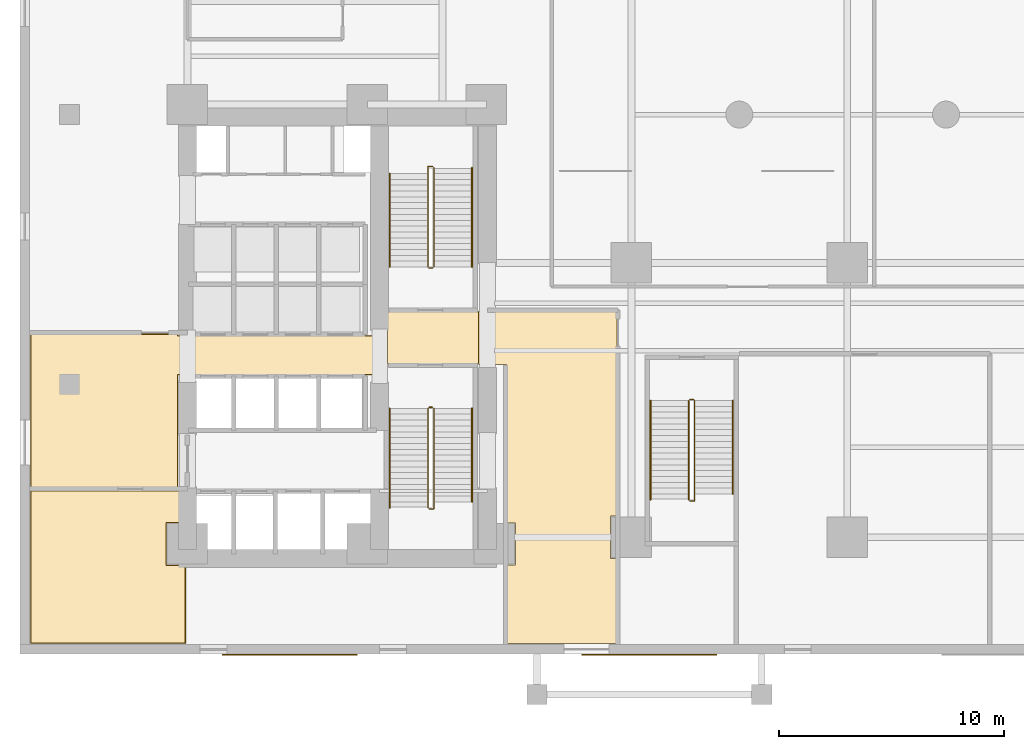
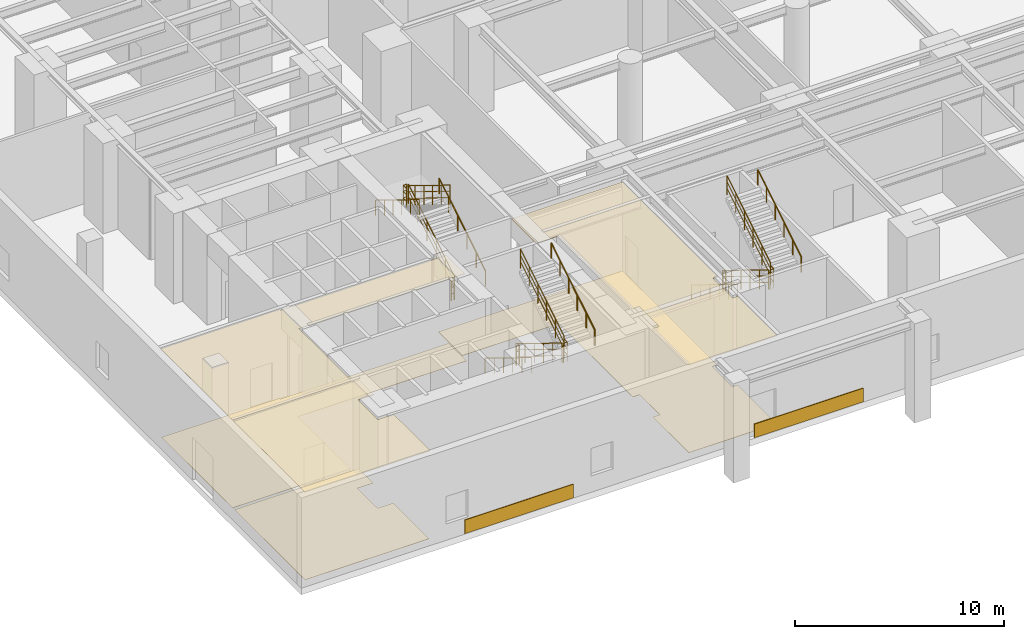
# One storey, part 15 of 17: 18 railings, 8 coverings.
"""IFC4 building model written with IfcOpenShell, lengths in metres."""

import ifcopenshell
import ifcopenshell.guid

model = None  # the IFC model being written
_history = None  # IfcOwnerHistory: only IFC2X3 demands one
_inside = {}  # id of a spatial element -> (the spatial element, [elements in it])
_under = {}  # id of a project, library or spatial element -> (it, [spatial elements below it])
_declared = {}  # id of a project -> (the project, [libraries it declares])
_typed = {}  # id of a type object -> (the type object, [elements of that type])
_made_of = {}  # id of a material, layer set ... -> (it, [elements and type objects made of it])


def new_model(schema):
    """Start an empty IFC model of exactly this schema.

    Asked for "IFC4X3", IfcOpenShell would pick the latest addendum, in which some entities
    have other attributes; the version numbers below select the first issue.
    IFC2X3 requires an IfcOwnerHistory on every rooted entity: one is made here for all.
    """
    global model, _history
    if schema == "IFC4X3":
        model = ifcopenshell.file(schema_version=(4, 3, 0, 0))
    else:
        model = ifcopenshell.file(schema=schema)
    _inside.clear()
    _under.clear()
    _declared.clear()
    _typed.clear()
    _made_of.clear()
    _history = None
    if model.schema == "IFC2X3":
        org = make("IfcOrganization", Name="unknown")
        user = make(
            "IfcPersonAndOrganization",
            ThePerson=make("IfcPerson", FamilyName="unknown"),
            TheOrganization=org,
        )
        app = make(
            "IfcApplication",
            ApplicationDeveloper=org,
            Version="unknown",
            ApplicationFullName="unknown",
            ApplicationIdentifier="unknown",
        )
        _history = make(
            "IfcOwnerHistory",
            OwningUser=user,
            OwningApplication=app,
            ChangeAction="ADDED",
            CreationDate=0,
        )
    return model


def make(cls, **values):
    """One entity of the class cls with the attributes given. An attribute that is None is left unset."""
    return model.create_entity(
        cls, **{name: value for name, value in values.items() if value is not None}
    )


def rooted(cls, **values):
    """An entity with a GlobalId (a new one), such as an element, a storey or a relation."""
    return make(cls, GlobalId=ifcopenshell.guid.new(), OwnerHistory=_history, **values)


def si_unit(unit_type, name, prefix=None):
    """IfcSIUnit, for example si_unit("LENGTHUNIT", "METRE", prefix="MILLI")."""
    return make("IfcSIUnit", UnitType=unit_type, Prefix=prefix, Name=name)


def assignment(units):
    """IfcUnitAssignment: the units of a project."""
    return None if units is None else make("IfcUnitAssignment", Units=units)


def point(xyz):
    """IfcCartesianPoint."""
    return None if xyz is None else make("IfcCartesianPoint", Coordinates=xyz)


def direction(xyz):
    """IfcDirection."""
    return None if xyz is None else make("IfcDirection", DirectionRatios=xyz)


def frame(location, z_axis=None, x_axis=None):
    """IfcAxis2Placement3D, a coordinate frame: its origin and axes. An axis left out is left unset."""
    return make(
        "IfcAxis2Placement3D",
        Location=point(location),
        Axis=direction(z_axis),
        RefDirection=direction(x_axis),
    )


def frame_2d(location, x_axis=None):
    """IfcAxis2Placement2D, a coordinate frame in the plane: its origin and x axis."""
    return make(
        "IfcAxis2Placement2D", Location=point(location), RefDirection=direction(x_axis)
    )


def origin():
    """The frame at (0, 0, 0) with its axes left unset."""
    return frame((0.0, 0.0, 0.0))


def origin_2d():
    """The frame at (0, 0) in the plane with its x axis left unset."""
    return frame_2d((0.0, 0.0))


def place(relative_to, where):
    """IfcLocalPlacement: puts the frame where relative to a parent placement (None: the world)."""
    return make(
        "IfcLocalPlacement", PlacementRelTo=relative_to, RelativePlacement=where
    )


def context(
    kind, dimensions, precision=None, world=None, true_north=None, identifier=None
):
    """IfcGeometricRepresentationContext, for example the 3D "Model" context."""
    return make(
        "IfcGeometricRepresentationContext",
        ContextIdentifier=identifier,
        ContextType=kind,
        CoordinateSpaceDimension=dimensions,
        Precision=precision,
        WorldCoordinateSystem=world,
        TrueNorth=true_north,
    )


def subcontext(parent, identifier, kind, view, scale=None):
    """IfcGeometricRepresentationSubContext, for example "Body" below "Model"."""
    return make(
        "IfcGeometricRepresentationSubContext",
        ContextIdentifier=identifier,
        ContextType=kind,
        ParentContext=parent,
        TargetScale=scale,
        TargetView=view,
    )


def project(units=None, contexts=None):
    """IfcProject with its units and contexts."""
    return rooted(
        "IfcProject",
        Name="project",
        RepresentationContexts=contexts,
        UnitsInContext=assignment(units),
    )


def spatial(cls, under=None, at=None, **own):
    """A site, building, storey or space (cls), placed at a placement, below another one or the project."""
    s = rooted(cls, ObjectPlacement=at, **own)
    if under is not None:
        _under.setdefault(under.id(), (under, []))[1].append(s)
    return s


def polyline(points):
    """IfcPolyline through the points."""
    return make("IfcPolyline", Points=[point(p) for p in points])


def profile(cls, at=None, kind="AREA", **sizes):
    """A parametric profile (cls). Its sizes go by their IFC names, for example OverallWidth=200.0."""
    return make(cls, ProfileType=kind, Position=at, **sizes)


def rectangle(**sizes):
    """IfcRectangleProfileDef."""
    return profile("IfcRectangleProfileDef", **sizes)


def circle(**sizes):
    """IfcCircleProfileDef."""
    return profile("IfcCircleProfileDef", **sizes)


def outline(outer, holes=None, kind="AREA"):
    """IfcArbitraryClosedProfileDef: a profile drawn as a closed curve; with holes, ...WithVoids."""
    if holes is None:
        return make("IfcArbitraryClosedProfileDef", ProfileType=kind, OuterCurve=outer)
    return make(
        "IfcArbitraryProfileDefWithVoids",
        ProfileType=kind,
        OuterCurve=outer,
        InnerCurves=holes,
    )


def extrude(swept, where, along, depth):
    """IfcExtrudedAreaSolid: the profile swept, set in the frame where, extruded along a direction by depth."""
    return make(
        "IfcExtrudedAreaSolid",
        SweptArea=swept,
        Position=where,
        ExtrudedDirection=direction(along),
        Depth=depth,
    )


def shape(context_of_items, identifier, shape_type, items):
    """IfcShapeRepresentation: the items that make up one representation, for example the "Body"."""
    return make(
        "IfcShapeRepresentation",
        ContextOfItems=context_of_items,
        RepresentationIdentifier=identifier,
        RepresentationType=shape_type,
        Items=items,
    )


def material(Name=None, Category=None):
    """IfcMaterial."""
    return make("IfcMaterial", Name=Name, Category=Category)


def layer(
    of_material, thickness, ventilated=None, Name=None, Category=None, Priority=None
):
    """IfcMaterialLayer: one layer of a wall or slab, of a material (None: an air gap)."""
    return make(
        "IfcMaterialLayer",
        Material=of_material,
        LayerThickness=thickness,
        IsVentilated=ventilated,
        Name=Name,
        Category=Category,
        Priority=Priority,
    )


def layer_set(layers, Name=None):
    """IfcMaterialLayerSet."""
    return make("IfcMaterialLayerSet", MaterialLayers=layers, LayerSetName=Name)


def made_of(thing, what):
    """Note that an element or type object is made of a material, layer set ...; save() writes the relation."""
    if what is not None:
        _made_of.setdefault(what.id(), (what, []))[1].append(thing)
    return thing


def type_object(cls, material=None, **own):
    """A type object (cls), such as IfcWallType, which elements share."""
    return made_of(rooted(cls, **own), material)


def element(
    cls,
    number,
    at=None,
    inside=None,
    cuts=None,
    type_object=None,
    material=None,
    context=None,
    identifier="Body",
    shape_type=None,
    held_by="IfcProductDefinitionShape",
    body=None,
    shapes=None,
    **own,
):
    """One element of the class cls, such as IfcWall. Its Tag is "e" and its number.

    at: its placement. inside: the storey or other place that contains it. cuts: it is an
    opening in that element (IfcRelVoidsElement). A single representation is given by context,
    identifier, shape_type and body (its items); several are given by shapes. held_by: the class
    of the entity that holds the representations. save() writes the other relations.
    """
    e = rooted(cls, Tag="e%d" % number, ObjectPlacement=at, **own)
    if body is not None:
        shapes = [shape(context, identifier, shape_type, body)]
    if shapes is not None:
        e.Representation = make(held_by, Representations=shapes)
    if inside is not None:
        _inside.setdefault(inside.id(), (inside, []))[1].append(e)
    if cuts is not None:
        rooted(
            "IfcRelVoidsElement", RelatingBuildingElement=cuts, RelatedOpeningElement=e
        )
    if type_object is not None:
        _typed.setdefault(type_object.id(), (type_object, []))[1].append(e)
    return made_of(e, material)


def aggregate(whole, parts):
    """IfcRelAggregates: a whole, such as a stair, and the parts it consists of."""
    return rooted("IfcRelAggregates", RelatingObject=whole, RelatedObjects=parts)


def save(model, path):
    """Write the relations noted so far, then the file.

    IfcRelAggregates (storeys below a building ...), IfcRelContainedInSpatialStructure (elements
    in a storey), IfcRelDefinesByType, IfcRelAssociatesMaterial and IfcRelDeclares: one each for
    every whole, place, type object, material and project.
    """
    for whole, parts in _under.values():
        aggregate(whole, parts)
    for where, things in _inside.values():
        rooted(
            "IfcRelContainedInSpatialStructure",
            RelatedElements=things,
            RelatingStructure=where,
        )
    for kind, things in _typed.values():
        rooted("IfcRelDefinesByType", RelatedObjects=things, RelatingType=kind)
    for what, things in _made_of.values():
        rooted("IfcRelAssociatesMaterial", RelatedObjects=things, RelatingMaterial=what)
    for by, libraries in _declared.values():
        rooted("IfcRelDeclares", RelatingContext=by, RelatedDefinitions=libraries)
    model.write(path)


model = new_model("IFC4")

# Units and contexts
model_context = context("Model", 3, precision=1e-05, world=origin(), true_north=direction((0.0, 1.0)))
body_context = subcontext(model_context, "Body", "Model", "MODEL_VIEW")
ifc_project = project(units=[si_unit("LENGTHUNIT", "METRE"), si_unit("AREAUNIT", "SQUARE_METRE"), si_unit("VOLUMEUNIT", "CUBIC_METRE"), si_unit("PLANEANGLEUNIT", "RADIAN"), si_unit("MASSUNIT", "GRAM", prefix="KILO")], contexts=[model_context])

# Site, building, storey
site_placement = place(None, origin())
site = spatial("IfcSite", under=ifc_project, at=site_placement, CompositionType="ELEMENT")
building_placement = place(site_placement, origin())
building = spatial("IfcBuilding", under=site, at=building_placement, Name="Kolvaren Waterfront Exchange", CompositionType="ELEMENT")
storey_placement = place(building_placement, origin())
storey = spatial("IfcBuildingStorey", under=building, at=storey_placement, Name="L01", CompositionType="ELEMENT", Elevation=0.0)

# Coverings
ifc_material_1 = material(Name="Mineral fibre acoustic ceiling tile")
ifc_layer_1 = layer(ifc_material_1, 0.02490234375, Name="Mineral fibre acoustic ceiling tile")
ifc_layer_set_1 = layer_set([ifc_layer_1], Name="Mineral fibre acoustic ceiling tile")
covering_type_1 = type_object("IfcCoveringType", Name="ARC-CEIL-ACOUSTIC-25", PredefinedType="CEILING", material=ifc_layer_set_1)
covering_1_placement = place(storey_placement, frame((0.0, 0.0, 5.14501953125)))
element("IfcCovering", 1, at=covering_1_placement, inside=storey, type_object=covering_type_1, Name="L01 acoustic suspended ceiling 1", PredefinedType="CEILING", context=body_context, shape_type="SweptSolid", body=[
    extrude(outline(polyline([(26.554931640625, 4.260009765625), (26.260009765625, 4.260009765625), (26.260009765625, 6.139892578125), (26.554931640625, 6.139892578125), (26.554931640625, 15.2548828125), (20.39990234375, 15.2548828125), (20.39990234375, 12.885009765625), (21.64501953125, 12.885009765625), (21.64501953125, 5.840087890625), (22.0400390625, 5.840087890625), (22.0400390625, 3.9599609375), (21.64501953125, 3.9599609375), (21.64501953125, 0.465087890625), (26.554931640625, 0.465087890625), (26.554931640625, 4.260009765625)])), origin(), (0.0, 0.0, 1.0), 0.02490234375),
])
covering_2_placement = place(storey_placement, frame((0.0, 0.0, 5.14501953125)))
element("IfcCovering", 2, at=covering_2_placement, inside=storey, type_object=covering_type_1, Name="L01 acoustic suspended ceiling 2", PredefinedType="CEILING", context=body_context, shape_type="SweptSolid", body=[
    extrude(outline(polyline([(7.034912109375, 14.175048828125), (7.034912109375, 14.2548828125), (0.465087890625, 14.2548828125), (0.465087890625, 7.385009765625), (7.034912109375, 7.385009765625), (7.034912109375, 12.405029296875), (16.199951171875, 12.405029296875), (16.199951171875, 14.175048828125), (7.034912109375, 14.175048828125)])), origin(), (0.0, 0.0, 1.0), 0.02490234375),
])
covering_3_placement = place(storey_placement, frame((0.0, 0.0, 5.14501953125)))
element("IfcCovering", 3, at=covering_3_placement, inside=storey, type_object=covering_type_1, Name="L01 acoustic suspended ceiling 3", PredefinedType="CEILING", context=body_context, shape_type="SweptSolid", body=[
    extrude(outline(polyline([(7.385009765625, 3.9599609375), (6.510009765625, 3.9599609375), (6.510009765625, 5.840087890625), (7.385009765625, 5.840087890625), (7.385009765625, 7.284912109375), (0.465087890625, 7.284912109375), (0.465087890625, 0.465087890625), (7.385009765625, 0.465087890625), (7.385009765625, 3.9599609375)])), origin(), (0.0, 0.0, 1.0), 0.02490234375),
])
ifc_material_2 = material(Name="Honed grey-taupe granite stone", Category="masonry")
ifc_layer_2 = layer(ifc_material_2, 0.044921875, Name="Honed grey-taupe granite stone")
ifc_layer_set_2 = layer_set([ifc_layer_2], Name="Honed grey-taupe granite stone")
covering_type_2 = type_object("IfcCoveringType", Name="ARC-CLAD-GRANITE-45", PredefinedType="CLADDING", material=ifc_layer_set_2)
for number, where, z_axis, x_axis, name in (
    (4, (12.0, -0.02001953125, 0.0498046875), (0.0, 0.0, 1.0), (1.0, 0.0, 0.0), "L01 honed grey-taupe granite spandrel cladding S1"),
    (5, (28.0, -0.02001953125, 0.0498046875), (0.0, 0.0, 1.0), (1.0, 0.0, 0.0), "L01 honed grey-taupe granite spandrel cladding S2"),
):
    element("IfcCovering", number, at=place(storey_placement, frame(where, z_axis=z_axis, x_axis=x_axis)), inside=storey, type_object=covering_type_2, Name=name, PredefinedType="CLADDING", context=body_context, shape_type="SweptSolid", body=[
        extrude(rectangle(XDim=6.0, YDim=0.044921875, at=origin_2d()), origin(), (0.0, 0.0, 1.0), 0.800048828125),
    ])
ifc_material_3 = material(Name="Slip-resistant porcelain tile")
ifc_layer_3 = layer(ifc_material_3, 0.014892578125, Name="Slip-resistant porcelain tile")
ifc_layer_set_3 = layer_set([ifc_layer_3], Name="Slip-resistant porcelain tile")
covering_type_3 = type_object("IfcCoveringType", Name="ARC-FLR-PORC-15", PredefinedType="FLOORING", material=ifc_layer_set_3)
covering_4_placement = place(storey_placement, origin())
element("IfcCovering", 6, at=covering_4_placement, inside=storey, type_object=covering_type_3, Name="L01 floor finish 1", PredefinedType="FLOORING", context=body_context, shape_type="SweptSolid", body=[
    extrude(outline(polyline([(26.52001953125, 15.219970703125), (16.35009765625, 15.219970703125), (16.35009765625, 12.919921875), (21.679931640625, 12.919921875), (21.679931640625, 5.860107421875), (22.06005859375, 5.860107421875), (22.06005859375, 3.93994140625), (21.679931640625, 3.93994140625), (21.679931640625, 0.5), (26.52001953125, 0.5), (26.52001953125, 4.239990234375), (26.239990234375, 4.239990234375), (26.239990234375, 6.159912109375), (26.52001953125, 6.159912109375), (26.52001953125, 12.919921875), (26.52001953125, 15.219970703125)])), origin(), (0.0, 0.0, 1.0), 0.014892578125),
])
covering_5_placement = place(storey_placement, origin())
element("IfcCovering", 7, at=covering_5_placement, inside=storey, type_object=covering_type_3, Name="L01 floor finish 2", PredefinedType="FLOORING", context=body_context, shape_type="SweptSolid", body=[
    extrude(outline(polyline([(0.5, 14.219970703125), (0.5, 7.419921875), (7.0, 7.419921875), (7.0, 12.43994140625), (16.300048828125, 12.43994140625), (16.300048828125, 14.139892578125), (7.0, 14.139892578125), (7.0, 14.219970703125), (0.5, 14.219970703125)])), origin(), (0.0, 0.0, 1.0), 0.014892578125),
])
covering_6_placement = place(storey_placement, origin())
element("IfcCovering", 8, at=covering_6_placement, inside=storey, type_object=covering_type_3, Name="L01 floor finish 3", PredefinedType="FLOORING", context=body_context, shape_type="SweptSolid", body=[
    extrude(outline(polyline([(0.5, 7.25), (0.5, 0.5), (7.35009765625, 0.5), (7.35009765625, 3.93994140625), (6.489990234375, 3.93994140625), (6.489990234375, 5.860107421875), (7.35009765625, 5.860107421875), (7.35009765625, 7.25), (0.5, 7.25)])), origin(), (0.0, 0.0, 1.0), 0.014892578125),
])

# Railings
ifc_material_4 = material(Name="Stainless steel 316", Category="steel")
railing_type_1 = type_object("IfcRailingType", Name="ARC-GUARD-STAIR", PredefinedType="GUARDRAIL", material=ifc_material_4)
railing_1_placement = place(storey_placement, frame((18.14990234375, 10.929931640625, 0.159912109375)))
element("IfcRailing", 9, at=railing_1_placement, inside=storey, type_object=railing_type_1, Name="L01 ST1 stair guard 1", PredefinedType="GUARDRAIL", context=body_context, shape_type="SweptSolid", body=[
    extrude(circle(Radius=0.02392578125, at=origin_2d()), frame((0.0, 0.0, 1.1259765625), z_axis=(0.0, -0.851656701509, 0.524100050348), x_axis=(1.0, 0.0, 0.0)), (0.0, 0.0, 1.0), 5.189697265625),
    extrude(circle(Radius=0.01611328125, at=origin_2d()), frame((0.0, 0.0, 0.390869140625), z_axis=(0.0, -0.851656701509, 0.524100050348), x_axis=(1.0, 0.0, 0.0)), (0.0, 0.0, 1.0), 5.189697265625),
    extrude(circle(Radius=0.01611328125, at=origin_2d()), frame((0.0, 0.0, 0.7705078125), z_axis=(0.0, -0.851656701509, 0.524100050348), x_axis=(1.0, 0.0, 0.0)), (0.0, 0.0, 1.0), 5.189697265625),
    extrude(circle(Radius=0.02099609375, at=origin_2d()), origin(), (0.0, 0.0, 1.0), 1.101806640625),
    extrude(circle(Radius=0.02099609375, at=origin_2d()), frame((0.0, -0.884033203125, 0.5439453125)), (0.0, 0.0, 1.0), 1.101806640625),
    extrude(circle(Radius=0.02099609375, at=origin_2d()), frame((0.0, -1.76806640625, 1.087890625)), (0.0, 0.0, 1.0), 1.101806640625),
    extrude(circle(Radius=0.02099609375, at=origin_2d()), frame((0.0, -2.65185546875, 1.632080078125)), (0.0, 0.0, 1.0), 1.101806640625),
    extrude(circle(Radius=0.02099609375, at=origin_2d()), frame((0.0, -3.535888671875, 2.176025390625)), (0.0, 0.0, 1.0), 1.101806640625),
    extrude(circle(Radius=0.02099609375, at=origin_2d()), frame((0.0, -4.419921875, 2.719970703125)), (0.0, 0.0, 1.0), 1.101806640625),
])
railing_2_placement = place(storey_placement, frame((18.199951171875, 6.4599609375, 2.8798828125)))
element("IfcRailing", 10, at=railing_2_placement, inside=storey, type_object=railing_type_1, Name="L01 ST1 stair guard 2", PredefinedType="GUARDRAIL", context=body_context, shape_type="SweptSolid", body=[
    extrude(circle(Radius=0.02392578125, at=origin_2d()), frame((0.0, 0.0, 1.1259765625), z_axis=(1.0, 0.0, 0.0), x_axis=(0.0, 1.0, 0.0)), (0.0, 0.0, 1.0), 0.2099609375),
    extrude(circle(Radius=0.01611328125, at=origin_2d()), frame((0.0, 0.0, 0.390869140625), z_axis=(1.0, 0.0, 0.0), x_axis=(0.0, 1.0, 0.0)), (0.0, 0.0, 1.0), 0.2099609375),
    extrude(circle(Radius=0.01611328125, at=origin_2d()), frame((0.0, 0.0, 0.7705078125), z_axis=(1.0, 0.0, 0.0), x_axis=(0.0, 1.0, 0.0)), (0.0, 0.0, 1.0), 0.2099609375),
    extrude(circle(Radius=0.02392578125, at=origin_2d()), frame((0.2099609375, 0.0, 1.1259765625), z_axis=(0.0, 1.0, 0.0), x_axis=(-1.0, 0.0, 0.0)), (0.0, 0.0, 1.0), 0.31005859375),
    extrude(circle(Radius=0.01611328125, at=origin_2d()), frame((0.2099609375, 0.0, 0.390869140625), z_axis=(0.0, 1.0, 0.0), x_axis=(-1.0, 0.0, 0.0)), (0.0, 0.0, 1.0), 0.31005859375),
    extrude(circle(Radius=0.01611328125, at=origin_2d()), frame((0.2099609375, 0.0, 0.7705078125), z_axis=(0.0, 1.0, 0.0), x_axis=(-1.0, 0.0, 0.0)), (0.0, 0.0, 1.0), 0.31005859375),
    extrude(circle(Radius=0.02099609375, at=origin_2d()), origin(), (0.0, 0.0, 1.0), 1.101806640625),
    extrude(circle(Radius=0.02099609375, at=origin_2d()), frame((0.2099609375, 0.0, 0.0)), (0.0, 0.0, 1.0), 1.101806640625),
    extrude(circle(Radius=0.02099609375, at=origin_2d()), frame((0.2099609375, 0.31005859375, 0.0)), (0.0, 0.0, 1.0), 1.101806640625),
])
railing_3_placement = place(storey_placement, frame((18.409912109375, 6.77001953125, 3.0400390625)))
element("IfcRailing", 11, at=railing_3_placement, inside=storey, type_object=railing_type_1, Name="L01 ST1 stair guard 3", PredefinedType="GUARDRAIL", context=body_context, shape_type="SweptSolid", body=[
    extrude(circle(Radius=0.02392578125, at=origin_2d()), frame((0.0, 0.0, 1.1259765625), z_axis=(0.0, 0.851648019762, 0.524114157828), x_axis=(-1.0, 0.0, 0.0)), (0.0, 0.0, 1.0), 4.884521484375),
    extrude(circle(Radius=0.01611328125, at=origin_2d()), frame((0.0, 0.0, 0.390869140625), z_axis=(0.0, 0.851648019762, 0.524114157828), x_axis=(-1.0, 0.0, 0.0)), (0.0, 0.0, 1.0), 4.884521484375),
    extrude(circle(Radius=0.01611328125, at=origin_2d()), frame((0.0, 0.0, 0.7705078125), z_axis=(0.0, 0.851648019762, 0.524114157828), x_axis=(-1.0, 0.0, 0.0)), (0.0, 0.0, 1.0), 4.884521484375),
    extrude(circle(Radius=0.02099609375, at=origin_2d()), origin(), (0.0, 0.0, 1.0), 1.101806640625),
    extrude(circle(Radius=0.02099609375, at=origin_2d()), frame((0.0, 0.83203125, 0.511962890625)), (0.0, 0.0, 1.0), 1.101806640625),
    extrude(circle(Radius=0.02099609375, at=origin_2d()), frame((0.0, 1.6640625, 1.02392578125)), (0.0, 0.0, 1.0), 1.101806640625),
    extrude(circle(Radius=0.02099609375, at=origin_2d()), frame((0.0, 2.495849609375, 1.5361328125)), (0.0, 0.0, 1.0), 1.101806640625),
    extrude(circle(Radius=0.02099609375, at=origin_2d()), frame((0.0, 3.327880859375, 2.048095703125)), (0.0, 0.0, 1.0), 1.101806640625),
    extrude(circle(Radius=0.02099609375, at=origin_2d()), frame((0.0, 4.159912109375, 2.56005859375)), (0.0, 0.0, 1.0), 1.101806640625),
])
railing_4_placement = place(storey_placement, frame((18.199951171875, 10.97998046875, 0.0)))
element("IfcRailing", 12, at=railing_4_placement, inside=storey, type_object=railing_type_1, Name="L01 ST1 stair guard 4", PredefinedType="GUARDRAIL", context=body_context, shape_type="SweptSolid", body=[
    extrude(circle(Radius=0.02392578125, at=origin_2d()), frame((0.0, 0.0, 1.1259765625), z_axis=(1.0, 0.0, 0.0), x_axis=(0.0, 1.0, 0.0)), (0.0, 0.0, 1.0), 0.16015625),
    extrude(circle(Radius=0.01611328125, at=origin_2d()), frame((0.0, 0.0, 0.390869140625), z_axis=(1.0, 0.0, 0.0), x_axis=(0.0, 1.0, 0.0)), (0.0, 0.0, 1.0), 0.16015625),
    extrude(circle(Radius=0.01611328125, at=origin_2d()), frame((0.0, 0.0, 0.7705078125), z_axis=(1.0, 0.0, 0.0), x_axis=(0.0, 1.0, 0.0)), (0.0, 0.0, 1.0), 0.16015625),
    extrude(circle(Radius=0.02099609375, at=origin_2d()), origin(), (0.0, 0.0, 1.0), 1.101806640625),
    extrude(circle(Radius=0.02099609375, at=origin_2d()), frame((0.16015625, 0.0, 0.0)), (0.0, 0.0, 1.0), 1.101806640625),
])
railing_5_placement = place(storey_placement, frame((18.409912109375, 17.219970703125, 0.159912109375)))
element("IfcRailing", 13, at=railing_5_placement, inside=storey, type_object=railing_type_1, Name="L01 ST2 stair guard 1", PredefinedType="GUARDRAIL", context=body_context, shape_type="SweptSolid", body=[
    extrude(circle(Radius=0.02392578125, at=origin_2d()), frame((0.0, 0.0, 1.1259765625), z_axis=(0.0, 0.851656701509, 0.524100050348), x_axis=(-1.0, 0.0, 0.0)), (0.0, 0.0, 1.0), 5.189697265625),
    extrude(circle(Radius=0.01611328125, at=origin_2d()), frame((0.0, 0.0, 0.390869140625), z_axis=(0.0, 0.851656701509, 0.524100050348), x_axis=(-1.0, 0.0, 0.0)), (0.0, 0.0, 1.0), 5.189697265625),
    extrude(circle(Radius=0.01611328125, at=origin_2d()), frame((0.0, 0.0, 0.7705078125), z_axis=(0.0, 0.851656701509, 0.524100050348), x_axis=(-1.0, 0.0, 0.0)), (0.0, 0.0, 1.0), 5.189697265625),
    extrude(circle(Radius=0.02099609375, at=origin_2d()), origin(), (0.0, 0.0, 1.0), 1.101806640625),
    extrude(circle(Radius=0.02099609375, at=origin_2d()), frame((0.0, 0.884033203125, 0.5439453125)), (0.0, 0.0, 1.0), 1.101806640625),
    extrude(circle(Radius=0.02099609375, at=origin_2d()), frame((0.0, 1.76806640625, 1.087890625)), (0.0, 0.0, 1.0), 1.101806640625),
    extrude(circle(Radius=0.02099609375, at=origin_2d()), frame((0.0, 2.65185546875, 1.632080078125)), (0.0, 0.0, 1.0), 1.101806640625),
    extrude(circle(Radius=0.02099609375, at=origin_2d()), frame((0.0, 3.535888671875, 2.176025390625)), (0.0, 0.0, 1.0), 1.101806640625),
    extrude(circle(Radius=0.02099609375, at=origin_2d()), frame((0.0, 4.419921875, 2.719970703125)), (0.0, 0.0, 1.0), 1.101806640625),
])
railing_6_placement = place(storey_placement, frame((18.360107421875, 21.68994140625, 2.8798828125)))
element("IfcRailing", 14, at=railing_6_placement, inside=storey, type_object=railing_type_1, Name="L01 ST2 stair guard 2", PredefinedType="GUARDRAIL", context=body_context, shape_type="SweptSolid", body=[
    extrude(circle(Radius=0.02392578125, at=origin_2d()), frame((0.0, 0.0, 1.1259765625), z_axis=(-1.0, 0.0, 0.0), x_axis=(0.0, -1.0, 0.0)), (0.0, 0.0, 1.0), 0.210205078125),
    extrude(circle(Radius=0.01611328125, at=origin_2d()), frame((0.0, 0.0, 0.390869140625), z_axis=(-1.0, 0.0, 0.0), x_axis=(0.0, -1.0, 0.0)), (0.0, 0.0, 1.0), 0.210205078125),
    extrude(circle(Radius=0.01611328125, at=origin_2d()), frame((0.0, 0.0, 0.7705078125), z_axis=(-1.0, 0.0, 0.0), x_axis=(0.0, -1.0, 0.0)), (0.0, 0.0, 1.0), 0.210205078125),
    extrude(circle(Radius=0.02392578125, at=origin_2d()), frame((-0.210205078125, 0.0, 1.1259765625), z_axis=(0.0, -1.0, 0.0), x_axis=(1.0, 0.0, 0.0)), (0.0, 0.0, 1.0), 0.31005859375),
    extrude(circle(Radius=0.01611328125, at=origin_2d()), frame((-0.210205078125, 0.0, 0.390869140625), z_axis=(0.0, -1.0, 0.0), x_axis=(1.0, 0.0, 0.0)), (0.0, 0.0, 1.0), 0.31005859375),
    extrude(circle(Radius=0.01611328125, at=origin_2d()), frame((-0.210205078125, 0.0, 0.7705078125), z_axis=(0.0, -1.0, 0.0), x_axis=(1.0, 0.0, 0.0)), (0.0, 0.0, 1.0), 0.31005859375),
    extrude(circle(Radius=0.02099609375, at=origin_2d()), origin(), (0.0, 0.0, 1.0), 1.101806640625),
    extrude(circle(Radius=0.02099609375, at=origin_2d()), frame((-0.210205078125, 0.0, 0.0)), (0.0, 0.0, 1.0), 1.101806640625),
    extrude(circle(Radius=0.02099609375, at=origin_2d()), frame((-0.210205078125, -0.31005859375, 0.0)), (0.0, 0.0, 1.0), 1.101806640625),
])
railing_7_placement = place(storey_placement, frame((18.14990234375, 21.3798828125, 3.0400390625)))
element("IfcRailing", 15, at=railing_7_placement, inside=storey, type_object=railing_type_1, Name="L01 ST2 stair guard 3", PredefinedType="GUARDRAIL", context=body_context, shape_type="SweptSolid", body=[
    extrude(circle(Radius=0.02392578125, at=origin_2d()), frame((0.0, 0.0, 1.1259765625), z_axis=(0.0, -0.851648019762, 0.524114157828), x_axis=(1.0, 0.0, 0.0)), (0.0, 0.0, 1.0), 4.884521484375),
    extrude(circle(Radius=0.01611328125, at=origin_2d()), frame((0.0, 0.0, 0.390869140625), z_axis=(0.0, -0.851648019762, 0.524114157828), x_axis=(1.0, 0.0, 0.0)), (0.0, 0.0, 1.0), 4.884521484375),
    extrude(circle(Radius=0.01611328125, at=origin_2d()), frame((0.0, 0.0, 0.7705078125), z_axis=(0.0, -0.851648019762, 0.524114157828), x_axis=(1.0, 0.0, 0.0)), (0.0, 0.0, 1.0), 4.884521484375),
    extrude(circle(Radius=0.02099609375, at=origin_2d()), origin(), (0.0, 0.0, 1.0), 1.101806640625),
    extrude(circle(Radius=0.02099609375, at=origin_2d()), frame((0.0, -0.83203125, 0.511962890625)), (0.0, 0.0, 1.0), 1.101806640625),
    extrude(circle(Radius=0.02099609375, at=origin_2d()), frame((0.0, -1.6640625, 1.02392578125)), (0.0, 0.0, 1.0), 1.101806640625),
    extrude(circle(Radius=0.02099609375, at=origin_2d()), frame((0.0, -2.495849609375, 1.5361328125)), (0.0, 0.0, 1.0), 1.101806640625),
    extrude(circle(Radius=0.02099609375, at=origin_2d()), frame((0.0, -3.327880859375, 2.048095703125)), (0.0, 0.0, 1.0), 1.101806640625),
    extrude(circle(Radius=0.02099609375, at=origin_2d()), frame((0.0, -4.159912109375, 2.56005859375)), (0.0, 0.0, 1.0), 1.101806640625),
])
railing_8_placement = place(storey_placement, frame((18.360107421875, 17.169921875, 0.0)))
element("IfcRailing", 16, at=railing_8_placement, inside=storey, type_object=railing_type_1, Name="L01 ST2 stair guard 4", PredefinedType="GUARDRAIL", context=body_context, shape_type="SweptSolid", body=[
    extrude(circle(Radius=0.02392578125, at=origin_2d()), frame((0.0, 0.0, 1.1259765625), z_axis=(-1.0, 0.0, 0.0), x_axis=(0.0, -1.0, 0.0)), (0.0, 0.0, 1.0), 0.16015625),
    extrude(circle(Radius=0.01611328125, at=origin_2d()), frame((0.0, 0.0, 0.390869140625), z_axis=(-1.0, 0.0, 0.0), x_axis=(0.0, -1.0, 0.0)), (0.0, 0.0, 1.0), 0.16015625),
    extrude(circle(Radius=0.01611328125, at=origin_2d()), frame((0.0, 0.0, 0.7705078125), z_axis=(-1.0, 0.0, 0.0), x_axis=(0.0, -1.0, 0.0)), (0.0, 0.0, 1.0), 0.16015625),
    extrude(circle(Radius=0.02099609375, at=origin_2d()), origin(), (0.0, 0.0, 1.0), 1.101806640625),
    extrude(circle(Radius=0.02099609375, at=origin_2d()), frame((-0.16015625, 0.0, 0.0)), (0.0, 0.0, 1.0), 1.101806640625),
])
railing_9_placement = place(storey_placement, frame((29.75, 11.280029296875, 0.159912109375)))
element("IfcRailing", 17, at=railing_9_placement, inside=storey, type_object=railing_type_1, Name="L01 ST3 stair guard 1", PredefinedType="GUARDRAIL", context=body_context, shape_type="SweptSolid", body=[
    extrude(circle(Radius=0.02392578125, at=origin_2d()), frame((0.0, 0.0, 1.1259765625), z_axis=(0.0, -0.851656701509, 0.524100050348), x_axis=(1.0, 0.0, 0.0)), (0.0, 0.0, 1.0), 5.189697265625),
    extrude(circle(Radius=0.01611328125, at=origin_2d()), frame((0.0, 0.0, 0.390869140625), z_axis=(0.0, -0.851656701509, 0.524100050348), x_axis=(1.0, 0.0, 0.0)), (0.0, 0.0, 1.0), 5.189697265625),
    extrude(circle(Radius=0.01611328125, at=origin_2d()), frame((0.0, 0.0, 0.7705078125), z_axis=(0.0, -0.851656701509, 0.524100050348), x_axis=(1.0, 0.0, 0.0)), (0.0, 0.0, 1.0), 5.189697265625),
    extrude(circle(Radius=0.02099609375, at=origin_2d()), origin(), (0.0, 0.0, 1.0), 1.101806640625),
    extrude(circle(Radius=0.02099609375, at=origin_2d()), frame((0.0, -0.884033203125, 0.5439453125)), (0.0, 0.0, 1.0), 1.101806640625),
    extrude(circle(Radius=0.02099609375, at=origin_2d()), frame((0.0, -1.76806640625, 1.087890625)), (0.0, 0.0, 1.0), 1.101806640625),
    extrude(circle(Radius=0.02099609375, at=origin_2d()), frame((0.0, -2.65185546875, 1.632080078125)), (0.0, 0.0, 1.0), 1.101806640625),
    extrude(circle(Radius=0.02099609375, at=origin_2d()), frame((0.0, -3.535888671875, 2.176025390625)), (0.0, 0.0, 1.0), 1.101806640625),
    extrude(circle(Radius=0.02099609375, at=origin_2d()), frame((0.0, -4.419921875, 2.719970703125)), (0.0, 0.0, 1.0), 1.101806640625),
])
railing_10_placement = place(storey_placement, frame((29.800048828125, 6.81005859375, 2.8798828125)))
element("IfcRailing", 18, at=railing_10_placement, inside=storey, type_object=railing_type_1, Name="L01 ST3 stair guard 2", PredefinedType="GUARDRAIL", context=body_context, shape_type="SweptSolid", body=[
    extrude(circle(Radius=0.02392578125, at=origin_2d()), frame((0.0, 0.0, 1.1259765625), z_axis=(1.0, 0.0, 0.0), x_axis=(0.0, 1.0, 0.0)), (0.0, 0.0, 1.0), 0.2099609375),
    extrude(circle(Radius=0.01611328125, at=origin_2d()), frame((0.0, 0.0, 0.390869140625), z_axis=(1.0, 0.0, 0.0), x_axis=(0.0, 1.0, 0.0)), (0.0, 0.0, 1.0), 0.2099609375),
    extrude(circle(Radius=0.01611328125, at=origin_2d()), frame((0.0, 0.0, 0.7705078125), z_axis=(1.0, 0.0, 0.0), x_axis=(0.0, 1.0, 0.0)), (0.0, 0.0, 1.0), 0.2099609375),
    extrude(circle(Radius=0.02392578125, at=origin_2d()), frame((0.2099609375, 0.0, 1.1259765625), z_axis=(0.0, 1.0, 0.0), x_axis=(-1.0, 0.0, 0.0)), (0.0, 0.0, 1.0), 0.31005859375),
    extrude(circle(Radius=0.01611328125, at=origin_2d()), frame((0.2099609375, 0.0, 0.390869140625), z_axis=(0.0, 1.0, 0.0), x_axis=(-1.0, 0.0, 0.0)), (0.0, 0.0, 1.0), 0.31005859375),
    extrude(circle(Radius=0.01611328125, at=origin_2d()), frame((0.2099609375, 0.0, 0.7705078125), z_axis=(0.0, 1.0, 0.0), x_axis=(-1.0, 0.0, 0.0)), (0.0, 0.0, 1.0), 0.31005859375),
    extrude(circle(Radius=0.02099609375, at=origin_2d()), origin(), (0.0, 0.0, 1.0), 1.101806640625),
    extrude(circle(Radius=0.02099609375, at=origin_2d()), frame((0.2099609375, 0.0, 0.0)), (0.0, 0.0, 1.0), 1.101806640625),
    extrude(circle(Radius=0.02099609375, at=origin_2d()), frame((0.2099609375, 0.31005859375, 0.0)), (0.0, 0.0, 1.0), 1.101806640625),
])
railing_11_placement = place(storey_placement, frame((30.010009765625, 7.1201171875, 3.0400390625)))
element("IfcRailing", 19, at=railing_11_placement, inside=storey, type_object=railing_type_1, Name="L01 ST3 stair guard 3", PredefinedType="GUARDRAIL", context=body_context, shape_type="SweptSolid", body=[
    extrude(circle(Radius=0.02392578125, at=origin_2d()), frame((0.0, 0.0, 1.1259765625), z_axis=(0.0, 0.851648019762, 0.524114157828), x_axis=(-1.0, 0.0, 0.0)), (0.0, 0.0, 1.0), 4.884521484375),
    extrude(circle(Radius=0.01611328125, at=origin_2d()), frame((0.0, 0.0, 0.390869140625), z_axis=(0.0, 0.851648019762, 0.524114157828), x_axis=(-1.0, 0.0, 0.0)), (0.0, 0.0, 1.0), 4.884521484375),
    extrude(circle(Radius=0.01611328125, at=origin_2d()), frame((0.0, 0.0, 0.7705078125), z_axis=(0.0, 0.851648019762, 0.524114157828), x_axis=(-1.0, 0.0, 0.0)), (0.0, 0.0, 1.0), 4.884521484375),
    extrude(circle(Radius=0.02099609375, at=origin_2d()), origin(), (0.0, 0.0, 1.0), 1.101806640625),
    extrude(circle(Radius=0.02099609375, at=origin_2d()), frame((0.0, 0.83203125, 0.511962890625)), (0.0, 0.0, 1.0), 1.101806640625),
    extrude(circle(Radius=0.02099609375, at=origin_2d()), frame((0.0, 1.6640625, 1.02392578125)), (0.0, 0.0, 1.0), 1.101806640625),
    extrude(circle(Radius=0.02099609375, at=origin_2d()), frame((0.0, 2.495849609375, 1.5361328125)), (0.0, 0.0, 1.0), 1.101806640625),
    extrude(circle(Radius=0.02099609375, at=origin_2d()), frame((0.0, 3.327880859375, 2.048095703125)), (0.0, 0.0, 1.0), 1.101806640625),
    extrude(circle(Radius=0.02099609375, at=origin_2d()), frame((0.0, 4.159912109375, 2.56005859375)), (0.0, 0.0, 1.0), 1.101806640625),
])
railing_12_placement = place(storey_placement, frame((29.800048828125, 11.330078125, 0.0)))
element("IfcRailing", 20, at=railing_12_placement, inside=storey, type_object=railing_type_1, Name="L01 ST3 stair guard 4", PredefinedType="GUARDRAIL", context=body_context, shape_type="SweptSolid", body=[
    extrude(circle(Radius=0.02392578125, at=origin_2d()), frame((0.0, 0.0, 1.1259765625), z_axis=(1.0, 0.0, 0.0), x_axis=(0.0, 1.0, 0.0)), (0.0, 0.0, 1.0), 0.159912109375),
    extrude(circle(Radius=0.01611328125, at=origin_2d()), frame((0.0, 0.0, 0.390869140625), z_axis=(1.0, 0.0, 0.0), x_axis=(0.0, 1.0, 0.0)), (0.0, 0.0, 1.0), 0.159912109375),
    extrude(circle(Radius=0.01611328125, at=origin_2d()), frame((0.0, 0.0, 0.7705078125), z_axis=(1.0, 0.0, 0.0), x_axis=(0.0, 1.0, 0.0)), (0.0, 0.0, 1.0), 0.159912109375),
    extrude(circle(Radius=0.02099609375, at=origin_2d()), origin(), (0.0, 0.0, 1.0), 1.101806640625),
    extrude(circle(Radius=0.02099609375, at=origin_2d()), frame((0.159912109375, 0.0, 0.0)), (0.0, 0.0, 1.0), 1.101806640625),
])
railing_type_2 = type_object("IfcRailingType", Name="ARC-HANDRAIL-900", PredefinedType="HANDRAIL", material=ifc_material_4)
railing_13_placement = place(storey_placement, frame((16.449951171875, 10.929931640625, 0.159912109375)))
element("IfcRailing", 21, at=railing_13_placement, inside=storey, type_object=railing_type_2, Name="L01 ST1 stair handrail 1", PredefinedType="HANDRAIL", context=body_context, shape_type="SweptSolid", body=[
    extrude(circle(Radius=0.02392578125, at=origin_2d()), frame((0.0, 0.0, 0.8759765625), z_axis=(0.0, -0.851656701509, 0.524100050348), x_axis=(1.0, 0.0, 0.0)), (0.0, 0.0, 1.0), 5.189697265625),
    extrude(circle(Radius=0.02099609375, at=origin_2d()), origin(), (0.0, 0.0, 1.0), 0.851806640625),
    extrude(circle(Radius=0.02099609375, at=origin_2d()), frame((0.0, -0.884033203125, 0.5439453125)), (0.0, 0.0, 1.0), 0.851806640625),
    extrude(circle(Radius=0.02099609375, at=origin_2d()), frame((0.0, -1.76806640625, 1.087890625)), (0.0, 0.0, 1.0), 0.851806640625),
    extrude(circle(Radius=0.02099609375, at=origin_2d()), frame((0.0, -2.65185546875, 1.632080078125)), (0.0, 0.0, 1.0), 0.851806640625),
    extrude(circle(Radius=0.02099609375, at=origin_2d()), frame((0.0, -3.535888671875, 2.176025390625)), (0.0, 0.0, 1.0), 0.851806640625),
    extrude(circle(Radius=0.02099609375, at=origin_2d()), frame((0.0, -4.419921875, 2.719970703125)), (0.0, 0.0, 1.0), 0.851806640625),
])
railing_14_placement = place(storey_placement, frame((20.110107421875, 6.77001953125, 3.0400390625)))
element("IfcRailing", 22, at=railing_14_placement, inside=storey, type_object=railing_type_2, Name="L01 ST1 stair handrail 2", PredefinedType="HANDRAIL", context=body_context, shape_type="SweptSolid", body=[
    extrude(circle(Radius=0.02392578125, at=origin_2d()), frame((0.0, 0.0, 0.8759765625), z_axis=(0.0, 0.851648019762, 0.524114157828), x_axis=(-1.0, 0.0, 0.0)), (0.0, 0.0, 1.0), 4.884521484375),
    extrude(circle(Radius=0.02099609375, at=origin_2d()), origin(), (0.0, 0.0, 1.0), 0.851806640625),
    extrude(circle(Radius=0.02099609375, at=origin_2d()), frame((0.0, 0.83203125, 0.511962890625)), (0.0, 0.0, 1.0), 0.851806640625),
    extrude(circle(Radius=0.02099609375, at=origin_2d()), frame((0.0, 1.6640625, 1.02392578125)), (0.0, 0.0, 1.0), 0.851806640625),
    extrude(circle(Radius=0.02099609375, at=origin_2d()), frame((0.0, 2.495849609375, 1.5361328125)), (0.0, 0.0, 1.0), 0.851806640625),
    extrude(circle(Radius=0.02099609375, at=origin_2d()), frame((0.0, 3.327880859375, 2.048095703125)), (0.0, 0.0, 1.0), 0.851806640625),
    extrude(circle(Radius=0.02099609375, at=origin_2d()), frame((0.0, 4.159912109375, 2.56005859375)), (0.0, 0.0, 1.0), 0.851806640625),
])
railing_15_placement = place(storey_placement, frame((20.110107421875, 17.219970703125, 0.159912109375)))
element("IfcRailing", 23, at=railing_15_placement, inside=storey, type_object=railing_type_2, Name="L01 ST2 stair handrail 1", PredefinedType="HANDRAIL", context=body_context, shape_type="SweptSolid", body=[
    extrude(circle(Radius=0.02392578125, at=origin_2d()), frame((0.0, 0.0, 0.8759765625), z_axis=(0.0, 0.851656701509, 0.524100050348), x_axis=(-1.0, 0.0, 0.0)), (0.0, 0.0, 1.0), 5.189697265625),
    extrude(circle(Radius=0.02099609375, at=origin_2d()), origin(), (0.0, 0.0, 1.0), 0.851806640625),
    extrude(circle(Radius=0.02099609375, at=origin_2d()), frame((0.0, 0.884033203125, 0.5439453125)), (0.0, 0.0, 1.0), 0.851806640625),
    extrude(circle(Radius=0.02099609375, at=origin_2d()), frame((0.0, 1.76806640625, 1.087890625)), (0.0, 0.0, 1.0), 0.851806640625),
    extrude(circle(Radius=0.02099609375, at=origin_2d()), frame((0.0, 2.65185546875, 1.632080078125)), (0.0, 0.0, 1.0), 0.851806640625),
    extrude(circle(Radius=0.02099609375, at=origin_2d()), frame((0.0, 3.535888671875, 2.176025390625)), (0.0, 0.0, 1.0), 0.851806640625),
    extrude(circle(Radius=0.02099609375, at=origin_2d()), frame((0.0, 4.419921875, 2.719970703125)), (0.0, 0.0, 1.0), 0.851806640625),
])
railing_16_placement = place(storey_placement, frame((16.449951171875, 21.3798828125, 3.0400390625)))
element("IfcRailing", 24, at=railing_16_placement, inside=storey, type_object=railing_type_2, Name="L01 ST2 stair handrail 2", PredefinedType="HANDRAIL", context=body_context, shape_type="SweptSolid", body=[
    extrude(circle(Radius=0.02392578125, at=origin_2d()), frame((0.0, 0.0, 0.8759765625), z_axis=(0.0, -0.851648019762, 0.524114157828), x_axis=(1.0, 0.0, 0.0)), (0.0, 0.0, 1.0), 4.884521484375),
    extrude(circle(Radius=0.02099609375, at=origin_2d()), origin(), (0.0, 0.0, 1.0), 0.851806640625),
    extrude(circle(Radius=0.02099609375, at=origin_2d()), frame((0.0, -0.83203125, 0.511962890625)), (0.0, 0.0, 1.0), 0.851806640625),
    extrude(circle(Radius=0.02099609375, at=origin_2d()), frame((0.0, -1.6640625, 1.02392578125)), (0.0, 0.0, 1.0), 0.851806640625),
    extrude(circle(Radius=0.02099609375, at=origin_2d()), frame((0.0, -2.495849609375, 1.5361328125)), (0.0, 0.0, 1.0), 0.851806640625),
    extrude(circle(Radius=0.02099609375, at=origin_2d()), frame((0.0, -3.327880859375, 2.048095703125)), (0.0, 0.0, 1.0), 0.851806640625),
    extrude(circle(Radius=0.02099609375, at=origin_2d()), frame((0.0, -4.159912109375, 2.56005859375)), (0.0, 0.0, 1.0), 0.851806640625),
])
railing_17_placement = place(storey_placement, frame((28.050048828125, 11.280029296875, 0.159912109375)))
element("IfcRailing", 25, at=railing_17_placement, inside=storey, type_object=railing_type_2, Name="L01 ST3 stair handrail 1", PredefinedType="HANDRAIL", context=body_context, shape_type="SweptSolid", body=[
    extrude(circle(Radius=0.02392578125, at=origin_2d()), frame((0.0, 0.0, 0.8759765625), z_axis=(0.0, -0.851656701509, 0.524100050348), x_axis=(1.0, 0.0, 0.0)), (0.0, 0.0, 1.0), 5.189697265625),
    extrude(circle(Radius=0.02099609375, at=origin_2d()), origin(), (0.0, 0.0, 1.0), 0.851806640625),
    extrude(circle(Radius=0.02099609375, at=origin_2d()), frame((0.0, -0.884033203125, 0.5439453125)), (0.0, 0.0, 1.0), 0.851806640625),
    extrude(circle(Radius=0.02099609375, at=origin_2d()), frame((0.0, -1.76806640625, 1.087890625)), (0.0, 0.0, 1.0), 0.851806640625),
    extrude(circle(Radius=0.02099609375, at=origin_2d()), frame((0.0, -2.65185546875, 1.632080078125)), (0.0, 0.0, 1.0), 0.851806640625),
    extrude(circle(Radius=0.02099609375, at=origin_2d()), frame((0.0, -3.535888671875, 2.176025390625)), (0.0, 0.0, 1.0), 0.851806640625),
    extrude(circle(Radius=0.02099609375, at=origin_2d()), frame((0.0, -4.419921875, 2.719970703125)), (0.0, 0.0, 1.0), 0.851806640625),
])
railing_18_placement = place(storey_placement, frame((31.7099609375, 7.1201171875, 3.0400390625)))
element("IfcRailing", 26, at=railing_18_placement, inside=storey, type_object=railing_type_2, Name="L01 ST3 stair handrail 2", PredefinedType="HANDRAIL", context=body_context, shape_type="SweptSolid", body=[
    extrude(circle(Radius=0.02392578125, at=origin_2d()), frame((0.0, 0.0, 0.8759765625), z_axis=(0.0, 0.851648019762, 0.524114157828), x_axis=(-1.0, 0.0, 0.0)), (0.0, 0.0, 1.0), 4.884521484375),
    extrude(circle(Radius=0.02099609375, at=origin_2d()), origin(), (0.0, 0.0, 1.0), 0.851806640625),
    extrude(circle(Radius=0.02099609375, at=origin_2d()), frame((0.0, 0.83203125, 0.511962890625)), (0.0, 0.0, 1.0), 0.851806640625),
    extrude(circle(Radius=0.02099609375, at=origin_2d()), frame((0.0, 1.6640625, 1.02392578125)), (0.0, 0.0, 1.0), 0.851806640625),
    extrude(circle(Radius=0.02099609375, at=origin_2d()), frame((0.0, 2.495849609375, 1.5361328125)), (0.0, 0.0, 1.0), 0.851806640625),
    extrude(circle(Radius=0.02099609375, at=origin_2d()), frame((0.0, 3.327880859375, 2.048095703125)), (0.0, 0.0, 1.0), 0.851806640625),
    extrude(circle(Radius=0.02099609375, at=origin_2d()), frame((0.0, 4.159912109375, 2.56005859375)), (0.0, 0.0, 1.0), 0.851806640625),
])

save(model, "model.ifc")
